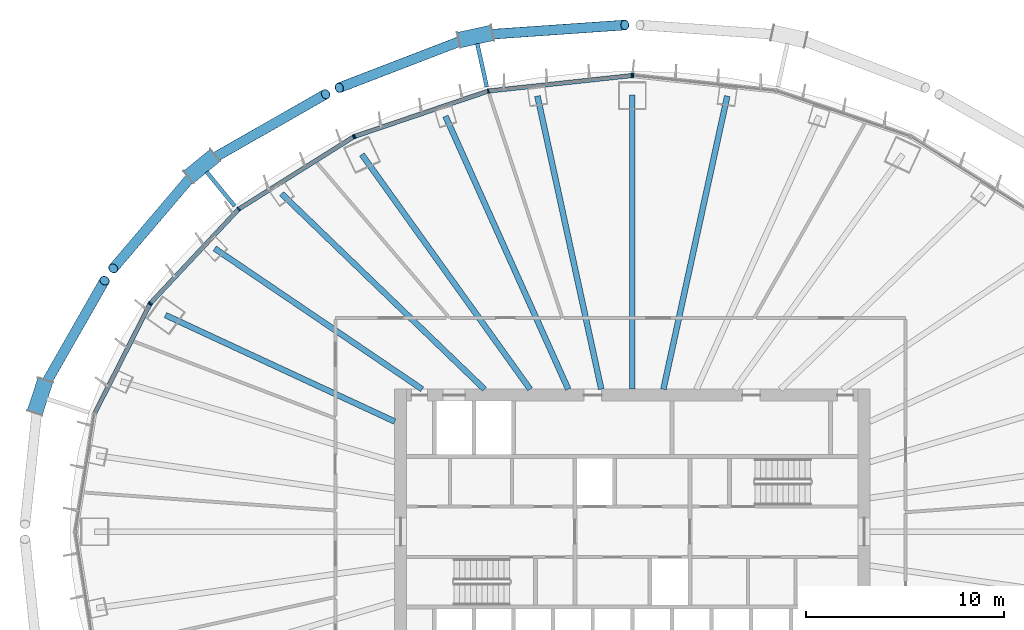
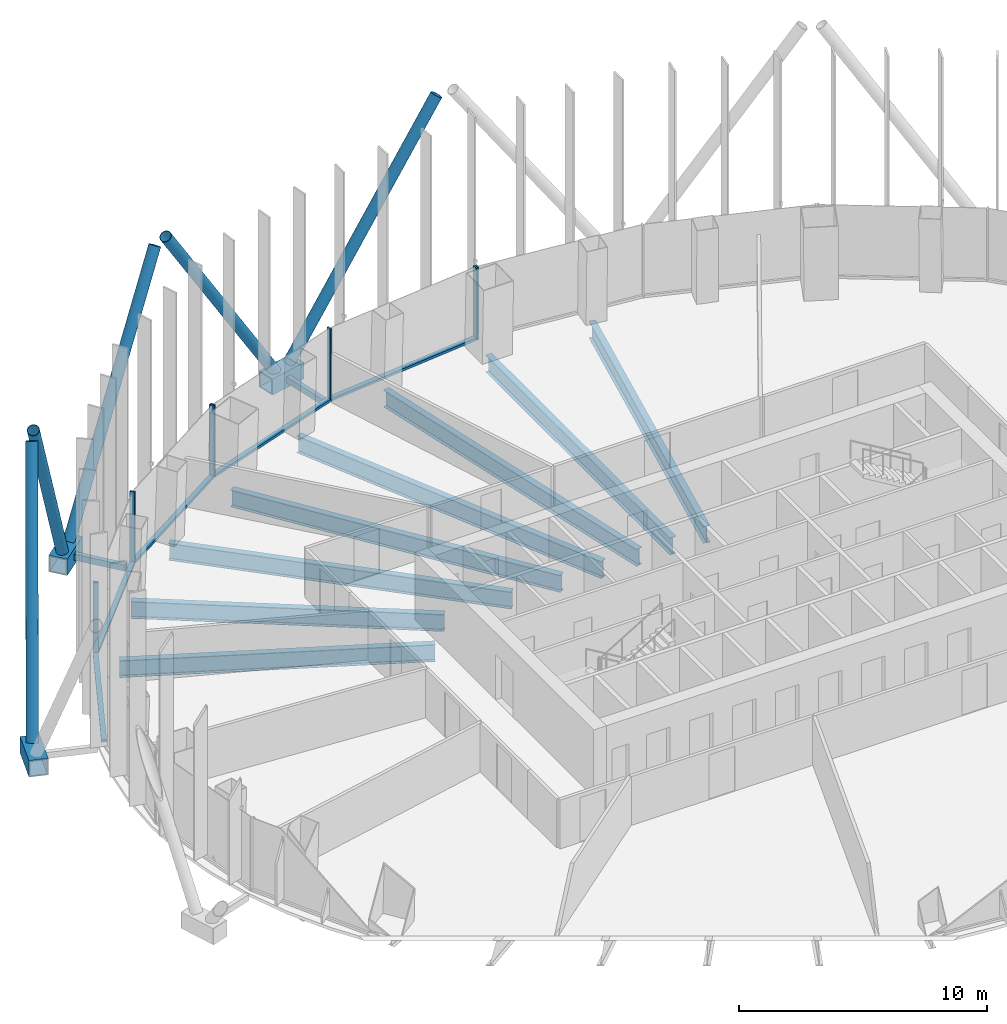
# One storey, part 5 of 22: 23 members, 8 beams, 4 elements without a shape of their own.
"""IFC4 building model written with IfcOpenShell, lengths in metres."""

from ifc_helpers import new_model, si_unit, direction, frame, origin, origin_2d, place, context, subcontext, project, spatial, rectangle, hollow_rectangle, hollow_circle, i_section, extrude, material, layer, layer_set, material_profile, profile_set, type_object, element, aggregate, save


model = new_model("IFC4")

# Units and contexts
model_context = context("Model", 3, precision=1e-05, world=origin(), true_north=direction((0.0, 1.0)))
body_context = subcontext(model_context, "Body", "Model", "MODEL_VIEW")
ifc_project = project(units=[si_unit("LENGTHUNIT", "METRE"), si_unit("AREAUNIT", "SQUARE_METRE"), si_unit("VOLUMEUNIT", "CUBIC_METRE"), si_unit("PLANEANGLEUNIT", "RADIAN"), si_unit("MASSUNIT", "GRAM", prefix="KILO")], contexts=[model_context])

# Site, building, storey
site_placement = place(None, origin())
site = spatial("IfcSite", under=ifc_project, at=site_placement, CompositionType="ELEMENT")
building_placement = place(site_placement, origin())
building = spatial("IfcBuilding", under=site, at=building_placement, Name="Siaravel Broadcast Tower", CompositionType="ELEMENT")
storey_placement = place(building_placement, frame((0.0, 0.0, 37.10009765625)))
storey = spatial("IfcBuildingStorey", under=building, at=storey_placement, Name="L07", CompositionType="ELEMENT", Elevation=37.10009765625)

# Beams
ifc_material_1 = material(Name="Steel S355", Category="steel")
ifc_material_profile_1 = material_profile(ifc_material_1, i_section(OverallWidth=0.291748046875, OverallDepth=0.8349609375, WebThickness=0.013916015625, FlangeThickness=0.018798828125, FilletRadius=0.017822265625, at=origin_2d()))
ifc_profile_set_1 = profile_set([ifc_material_profile_1], Name="Steel S355")
beam_type = type_object("IfcBeamType", Name="BM-UB 838x292x176", PredefinedType="BEAM", material=ifc_profile_set_1)
beam_1_placement = place(storey_placement, frame((4.79248046875, 22.003173828125, -0.5673828125), z_axis=(-0.212809631, -0.977093681, 0.0), x_axis=(0.977093681, -0.212809631, 0.0)))
element("IfcBeam", 1, at=beam_1_placement, inside=storey, type_object=beam_type, Name="Radial beam RB09", PredefinedType="BEAM", context=body_context, shape_type="SweptSolid", body=[
    extrude(i_section(OverallWidth=0.291748046875, OverallDepth=0.8349609375, WebThickness=0.013916015625, FlangeThickness=0.018798828125, FilletRadius=0.017822265625, at=origin_2d()), origin(), (0.0, 0.0, 1.0), 15.150146484375),
])
beam_2_placement = place(storey_placement, frame((0.0, 22.046630859375, -0.5673828125), z_axis=(0.0, -1.0, 0.0), x_axis=(1.0, 0.0, 0.0)))
element("IfcBeam", 2, at=beam_2_placement, inside=storey, type_object=beam_type, Name="Radial beam RB10", PredefinedType="BEAM", context=body_context, shape_type="SweptSolid", body=[
    extrude(i_section(OverallWidth=0.291748046875, OverallDepth=0.8349609375, WebThickness=0.013916015625, FlangeThickness=0.018798828125, FilletRadius=0.017822265625, at=origin_2d()), origin(), (0.0, 0.0, 1.0), 14.8466796875),
])
beam_3_placement = place(storey_placement, frame((-4.79248046875, 22.003173828125, -0.5673828125), z_axis=(0.212809631, -0.977093681, 0.0), x_axis=(0.977093681, 0.212809631, 0.0)))
element("IfcBeam", 3, at=beam_3_placement, inside=storey, type_object=beam_type, Name="Radial beam RB11", PredefinedType="BEAM", context=body_context, shape_type="SweptSolid", body=[
    extrude(i_section(OverallWidth=0.291748046875, OverallDepth=0.8349609375, WebThickness=0.013916015625, FlangeThickness=0.018798828125, FilletRadius=0.017822265625, at=origin_2d()), origin(), (0.0, 0.0, 1.0), 15.150146484375),
])
beam_4_placement = place(storey_placement, frame((-9.436279296875, 20.984130859375, -0.5673828125), z_axis=(0.410122863, -0.912030283, 0.0), x_axis=(0.912030283, 0.410122863, 0.0)))
element("IfcBeam", 4, at=beam_4_placement, inside=storey, type_object=beam_type, Name="Radial beam RB12", PredefinedType="BEAM", context=body_context, shape_type="SweptSolid", body=[
    extrude(i_section(OverallWidth=0.291748046875, OverallDepth=0.8349609375, WebThickness=0.013916015625, FlangeThickness=0.018798828125, FilletRadius=0.017822265625, at=origin_2d()), origin(), (0.0, 0.0, 1.0), 15.11376953125),
])
beam_5_placement = place(storey_placement, frame((-13.65869140625, 19.05126953125, -0.5673828125), z_axis=(0.582661067, -0.812715252, 0.0), x_axis=(0.812715252, 0.582661067, 0.0)))
element("IfcBeam", 5, at=beam_5_placement, inside=storey, type_object=beam_type, Name="Radial beam RB13", PredefinedType="BEAM", context=body_context, shape_type="SweptSolid", body=[
    extrude(i_section(OverallWidth=0.291748046875, OverallDepth=0.8349609375, WebThickness=0.013916015625, FlangeThickness=0.018798828125, FilletRadius=0.017822265625, at=origin_2d()), origin(), (0.0, 0.0, 1.0), 14.582275390625),
])
beam_6_placement = place(storey_placement, frame((-17.7109375, 17.072021484375, -0.5673828125), z_axis=(0.71997139, -0.694003745, 0.0), x_axis=(0.694003745, 0.71997139, 0.0)))
element("IfcBeam", 6, at=beam_6_placement, inside=storey, type_object=beam_type, Name="Radial beam RB14", PredefinedType="BEAM", context=body_context, shape_type="SweptSolid", body=[
    extrude(i_section(OverallWidth=0.291748046875, OverallDepth=0.8349609375, WebThickness=0.013916015625, FlangeThickness=0.018798828125, FilletRadius=0.017822265625, at=origin_2d()), origin(), (0.0, 0.0, 1.0), 14.224853515625),
])
beam_7_placement = place(storey_placement, frame((-21.088134765625, 14.305908203125, -0.5673828125), z_axis=(0.827542342, -0.561403306, 0.0), x_axis=(0.561403306, 0.827542342, 0.0)))
element("IfcBeam", 7, at=beam_7_placement, inside=storey, type_object=beam_type, Name="Radial beam RB15", PredefinedType="BEAM", context=body_context, shape_type="SweptSolid", body=[
    extrude(i_section(OverallWidth=0.291748046875, OverallDepth=0.8349609375, WebThickness=0.013916015625, FlangeThickness=0.018798828125, FilletRadius=0.017822265625, at=origin_2d()), origin(), (0.0, 0.0, 1.0), 12.657470703125),
])
beam_8_placement = place(storey_placement, frame((-23.5732421875, 10.939697265625, -0.5673828125), z_axis=(0.907082041, -0.420953882, 0.0), x_axis=(0.420953882, 0.907082041, 0.0)))
element("IfcBeam", 8, at=beam_8_placement, inside=storey, type_object=beam_type, Name="Radial beam RB16", PredefinedType="BEAM", context=body_context, shape_type="SweptSolid", body=[
    extrude(i_section(OverallWidth=0.291748046875, OverallDepth=0.8349609375, WebThickness=0.013916015625, FlangeThickness=0.018798828125, FilletRadius=0.017822265625, at=origin_2d()), origin(), (0.0, 0.0, 1.0), 12.7587890625),
])

# Curtain wall, member
ifc_material_2 = material(Name="Aluminium 6063-T6", Category="aluminium")
ifc_layer = layer(ifc_material_2, 0.219970703125)
ifc_layer_set = layer_set([ifc_layer], Name="Aluminium 6063-T6")
curtain_wall_type = type_object("IfcCurtainWallType", Name="Unitised curtain wall, zone 1", PredefinedType="NOTDEFINED", material=ifc_layer_set)
curtain_wall_1_placement = place(storey_placement, origin())
curtain_wall_1 = element("IfcCurtainWall", 9, at=curtain_wall_1_placement, inside=storey, type_object=curtain_wall_type, Name="L07 Unitised curtain wall, zone 1 03", PredefinedType="NOTDEFINED")
ifc_material_profile_2 = material_profile(ifc_material_2, rectangle(XDim=0.219970703125, YDim=0.070068359375, at=origin_2d()))
ifc_profile_set_2 = profile_set([ifc_material_profile_2], Name="Aluminium 6063-T6")
member_type_1 = type_object("IfcMemberType", Name="CW-Z1 mullion", PredefinedType="MULLION", material=ifc_profile_set_2)
member_1_placement = place(storey_placement, frame((0.034912109375, 23.035400390625, 0.0), z_axis=(0.0, 0.0, 1.0), x_axis=(-0.107217509, -0.994235589, 0.0)))
member_1 = element("IfcMember", 10, at=member_1_placement, type_object=member_type_1, Name="CW-Z1 mullion 3", PredefinedType="MULLION", context=body_context, shape_type="SweptSolid", body=[
    extrude(rectangle(XDim=0.219970703125, YDim=0.070068359375, at=origin_2d()), origin(), (0.0, 0.0, 1.0), 3.5498046875),
])
aggregate(curtain_wall_1, [member_1])

# Curtain wall, members
curtain_wall_2_placement = place(storey_placement, origin())
curtain_wall_2 = element("IfcCurtainWall", 11, at=curtain_wall_2_placement, inside=storey, type_object=curtain_wall_type, Name="L07 Unitised curtain wall, zone 1 04", PredefinedType="NOTDEFINED")
member_2_placement = place(storey_placement, frame((-0.034912109375, 23.035400390625, 0.0), z_axis=(0.0, 0.0, 1.0), x_axis=(0.107217509, -0.994235589, 0.0)))
member_2 = element("IfcMember", 12, at=member_2_placement, type_object=member_type_1, Name="CW-Z1 mullion 1", PredefinedType="MULLION", context=body_context, shape_type="SweptSolid", body=[
    extrude(rectangle(XDim=0.219970703125, YDim=0.070068359375, at=origin_2d()), origin(), (0.0, 0.0, 1.0), 3.5498046875),
])
member_3_placement = place(storey_placement, frame((-7.27490234375, 22.2548828125, 0.0), z_axis=(0.0, 0.0, 1.0), x_axis=(0.215558083, -0.97649102, 0.0)))
member_3 = element("IfcMember", 13, at=member_3_placement, type_object=member_type_1, Name="CW-Z1 mullion 2", PredefinedType="MULLION", context=body_context, shape_type="SweptSolid", body=[
    extrude(rectangle(XDim=0.219970703125, YDim=0.070068359375, at=origin_2d()), origin(), (0.0, 0.0, 1.0), 3.5498046875),
])
member_4_placement = place(storey_placement, frame((-14.021240234375, 19.9658203125, 0.0), z_axis=(0.0, 0.0, 1.0), x_axis=(0.321300632, -0.946977246, 0.0)))
member_4 = element("IfcMember", 14, at=member_4_placement, type_object=member_type_1, Name="CW-Z1 mullion 3", PredefinedType="MULLION", context=body_context, shape_type="SweptSolid", body=[
    extrude(rectangle(XDim=0.219970703125, YDim=0.070068359375, at=origin_2d()), origin(), (0.0, 0.0, 1.0), 3.5498046875),
])

curtain_wall_3_placement = place(storey_placement, origin())
curtain_wall_3 = element("IfcCurtainWall", 15, at=curtain_wall_3_placement, inside=storey, type_object=curtain_wall_type, Name="L07 Unitised curtain wall, zone 1 05", PredefinedType="NOTDEFINED")
member_5_placement = place(storey_placement, frame((-14.083984375, 19.935791015625, 0.0), z_axis=(0.0, 0.0, 1.0), x_axis=(0.532149101, -0.846650657, 0.0)))
member_5 = element("IfcMember", 16, at=member_5_placement, type_object=member_type_1, Name="CW-Z1 mullion 1", PredefinedType="MULLION", context=body_context, shape_type="SweptSolid", body=[
    extrude(rectangle(XDim=0.219970703125, YDim=0.070068359375, at=origin_2d()), origin(), (0.0, 0.0, 1.0), 3.5498046875),
])
member_6_placement = place(storey_placement, frame((-19.87744140625, 16.294677734375, 0.0), z_axis=(0.0, 0.0, 1.0), x_axis=(0.63621841, -0.771508998, 0.0)))
member_6 = element("IfcMember", 17, at=member_6_placement, type_object=member_type_1, Name="CW-Z1 mullion 2", PredefinedType="MULLION", context=body_context, shape_type="SweptSolid", body=[
    extrude(rectangle(XDim=0.219970703125, YDim=0.070068359375, at=origin_2d()), origin(), (0.0, 0.0, 1.0), 3.5498046875),
])
member_7_placement = place(storey_placement, frame((-24.322998046875, 11.549072265625, 0.0), z_axis=(0.0, 0.0, 1.0), x_axis=(0.729804946, -0.683655426, 0.0)))
member_7 = element("IfcMember", 18, at=member_7_placement, type_object=member_type_1, Name="CW-Z1 mullion 3", PredefinedType="MULLION", context=body_context, shape_type="SweptSolid", body=[
    extrude(rectangle(XDim=0.219970703125, YDim=0.070068359375, at=origin_2d()), origin(), (0.0, 0.0, 1.0), 3.5498046875),
])

# Curtain wall, member
curtain_wall_4_placement = place(storey_placement, origin())
curtain_wall_4 = element("IfcCurtainWall", 19, at=curtain_wall_4_placement, inside=storey, type_object=curtain_wall_type, Name="L07 Unitised curtain wall, zone 1 06", PredefinedType="NOTDEFINED")
member_8_placement = place(storey_placement, frame((-24.362548828125, 11.4921875, 0.0), z_axis=(0.0, 0.0, 1.0), x_axis=(0.892391814, -0.451261399, 0.0)))
member_8 = element("IfcMember", 20, at=member_8_placement, type_object=member_type_1, Name="CW-Z1 mullion 1", PredefinedType="MULLION", context=body_context, shape_type="SweptSolid", body=[
    extrude(rectangle(XDim=0.219970703125, YDim=0.070068359375, at=origin_2d()), origin(), (0.0, 0.0, 1.0), 3.5498046875),
])

# Member
ifc_material_profile_3 = material_profile(ifc_material_2, rectangle(XDim=0.219970703125, YDim=0.1201171875, at=origin_2d()))
ifc_profile_set_3 = profile_set([ifc_material_profile_3], Name="Aluminium 6063-T6")
member_type_2 = type_object("IfcMemberType", Name="CW-Z1 transom", PredefinedType="USERDEFINED", material=ifc_profile_set_3)
member_9_placement = place(storey_placement, frame((-0.069580078125, 23.03173828125, 0.059814453125), z_axis=(-0.994236438, -0.107209629, 0.0), x_axis=(0.107209629, -0.994236438, 0.0)))
member_9 = element("IfcMember", 21, at=member_9_placement, type_object=member_type_2, Name="CW-Z1 transom 1", ObjectType="TRANSOM", PredefinedType="USERDEFINED", context=body_context, shape_type="SweptSolid", body=[
    extrude(rectangle(XDim=0.219970703125, YDim=0.1201171875, at=origin_2d()), origin(), (0.0, 0.0, 1.0), 7.2119140625),
])

member_10_placement = place(storey_placement, frame((-7.307861328125, 22.24365234375, 0.059814453125), z_axis=(-0.946973811, -0.321310754, 0.0), x_axis=(0.321310754, -0.946973811, 0.0)))
member_10 = element("IfcMember", 22, at=member_10_placement, type_object=member_type_2, Name="CW-Z1 transom 2", ObjectType="TRANSOM", PredefinedType="USERDEFINED", context=body_context, shape_type="SweptSolid", body=[
    extrude(rectangle(XDim=0.219970703125, YDim=0.1201171875, at=origin_2d()), origin(), (0.0, 0.0, 1.0), 7.05419921875),
])

aggregate(curtain_wall_2, [member_2, member_3, member_4, member_9, member_10])

member_11_placement = place(storey_placement, frame((-14.11376953125, 19.917236328125, 0.059814453125), z_axis=(-0.846656967, -0.532139062, 0.0), x_axis=(0.532139062, -0.846656967, 0.0)))
member_11 = element("IfcMember", 23, at=member_11_placement, type_object=member_type_2, Name="CW-Z1 transom 1", ObjectType="TRANSOM", PredefinedType="USERDEFINED", context=body_context, shape_type="SweptSolid", body=[
    extrude(rectangle(XDim=0.219970703125, YDim=0.1201171875, at=origin_2d()), origin(), (0.0, 0.0, 1.0), 6.772705078125),
])

member_12_placement = place(storey_placement, frame((-19.9013671875, 16.26904296875, 0.059814453125), z_axis=(-0.683654492, -0.72980582, 0.0), x_axis=(0.72980582, -0.683654492, 0.0)))
member_12 = element("IfcMember", 24, at=member_12_placement, type_object=member_type_2, Name="CW-Z1 transom 2", ObjectType="TRANSOM", PredefinedType="USERDEFINED", context=body_context, shape_type="SweptSolid", body=[
    extrude(rectangle(XDim=0.219970703125, YDim=0.1201171875, at=origin_2d()), origin(), (0.0, 0.0, 1.0), 6.4326171875),
])

aggregate(curtain_wall_3, [member_5, member_6, member_7, member_11, member_12])

member_13_placement = place(storey_placement, frame((-24.37841796875, 11.4609375, 0.059814453125), z_axis=(-0.451275958, -0.892384452, 0.0), x_axis=(0.892384452, -0.451275958, 0.0)))
member_13 = element("IfcMember", 25, at=member_13_placement, type_object=member_type_2, Name="CW-Z1 transom 1", ObjectType="TRANSOM", PredefinedType="USERDEFINED", context=body_context, shape_type="SweptSolid", body=[
    extrude(rectangle(XDim=0.219970703125, YDim=0.1201171875, at=origin_2d()), origin(), (0.0, 0.0, 1.0), 6.123046875),
])

aggregate(curtain_wall_4, [member_8, member_13])

# Members
ifc_material_3 = material(Name="Steel S460", Category="steel")
ifc_material_profile_4 = material_profile(ifc_material_3, hollow_circle(Radius=0.25390625, WallThickness=0.02001953125, at=origin_2d()))
ifc_profile_set_4 = profile_set([ifc_material_profile_4], Name="Steel S460")
member_type_3 = type_object("IfcMemberType", Name="Diagrid diagonal CHS 508x20", PredefinedType="BRACE", material=ifc_profile_set_4)
member_14_placement = place(storey_placement, frame((-7.5380859375, 25.09375, 0.169921875), z_axis=(0.566194211, 0.039198358, 0.823339301), x_axis=(-0.069065976, 0.997612094, 0.0)))
element("IfcMember", 26, at=member_14_placement, inside=storey, type_object=member_type_3, Name="Diagrid diagonal R04 station 21C", PredefinedType="BRACE", context=body_context, shape_type="SweptSolid", body=[
    extrude(hollow_circle(Radius=0.25390625, WallThickness=0.02001953125, at=origin_2d()), origin(), (0.0, 0.0, 1.0), 12.6435546875),
])
member_15_placement = place(storey_placement, frame((-8.279296875, 24.93115234375, 0.169921875), z_axis=(-0.520194937, -0.200133392, 0.830267338), x_axis=(0.359070379, -0.933310486, 0.0)))
element("IfcMember", 27, at=member_15_placement, inside=storey, type_object=member_type_3, Name="Diagrid diagonal R04 station 21A", PredefinedType="BRACE", context=body_context, shape_type="SweptSolid", body=[
    extrude(hollow_circle(Radius=0.25390625, WallThickness=0.02001953125, at=origin_2d()), origin(), (0.0, 0.0, 1.0), 12.5380859375),
])
member_16_placement = place(storey_placement, frame((-21.4384765625, 18.703125, 0.169921875), z_axis=(0.477526586, 0.272371369, 0.835333584), x_axis=(-0.495451824, 0.868635418, 0.0)))
element("IfcMember", 28, at=member_16_placement, inside=storey, type_object=member_type_3, Name="Diagrid diagonal R04 station 27C", PredefinedType="BRACE", context=body_context, shape_type="SweptSolid", body=[
    extrude(hollow_circle(Radius=0.25390625, WallThickness=0.02001953125, at=origin_2d()), origin(), (0.0, 0.0, 1.0), 12.4619140625),
])
member_17_placement = place(storey_placement, frame((-22.025390625, 18.222412109375, 0.169921875), z_axis=(-0.341753532, -0.401555418, 0.849680981), x_axis=(0.761535421, -0.648123293, 0.0)))
element("IfcMember", 29, at=member_17_placement, inside=storey, type_object=member_type_3, Name="Diagrid diagonal R04 station 27A", PredefinedType="BRACE", context=body_context, shape_type="SweptSolid", body=[
    extrude(hollow_circle(Radius=0.25390625, WallThickness=0.02001953125, at=origin_2d()), origin(), (0.0, 0.0, 1.0), 12.25146484375),
])
member_18_placement = place(storey_placement, frame((-29.788818359375, 7.190673828125, 0.169921875), z_axis=(0.257704977, 0.450853435, 0.854587225), x_axis=(-0.868181384, 0.496246999, 0.0)))
element("IfcMember", 30, at=member_18_placement, inside=storey, type_object=member_type_3, Name="Diagrid diagonal R04 station 33C", PredefinedType="BRACE", context=body_context, shape_type="SweptSolid", body=[
    extrude(hollow_circle(Radius=0.25390625, WallThickness=0.02001953125, at=origin_2d()), origin(), (0.0, 0.0, 1.0), 12.18115234375),
])
ifc_material_profile_5 = material_profile(ifc_material_3, hollow_rectangle(XDim=0.800048828125, YDim=0.800048828125, WallThickness=0.050048828125, at=origin_2d()))
ifc_profile_set_5 = profile_set([ifc_material_profile_5], Name="Steel S460")
member_type_4 = type_object("IfcMemberType", Name="Diagrid node BOX 800x800x50", PredefinedType="USERDEFINED", material=ifc_profile_set_5)
member_19_placement = place(storey_placement, frame((-7.068359375, 25.197021484375, -0.2001953125), z_axis=(-0.976724775, -0.214496421, 0.0), x_axis=(0.214496421, -0.976724775, 0.0)))
element("IfcMember", 31, at=member_19_placement, inside=storey, type_object=member_type_4, Name="Diagrid node R04 station 21", ObjectType="DIAGRID NODE", PredefinedType="USERDEFINED", context=body_context, shape_type="SweptSolid", body=[
    extrude(hollow_rectangle(XDim=0.800048828125, YDim=0.800048828125, WallThickness=0.050048828125, at=origin_2d()), origin(), (0.0, 0.0, 1.0), 1.720947265625),
])
member_20_placement = place(storey_placement, frame((-21.066162109375, 19.008056640625, -0.2001953125), z_axis=(-0.773634883, -0.63363165, 0.0), x_axis=(0.63363165, -0.773634883, 0.0)))
element("IfcMember", 32, at=member_20_placement, inside=storey, type_object=member_type_4, Name="Diagrid node R04 station 27", ObjectType="DIAGRID NODE", PredefinedType="USERDEFINED", context=body_context, shape_type="SweptSolid", body=[
    extrude(hollow_rectangle(XDim=0.800048828125, YDim=0.800048828125, WallThickness=0.050048828125, at=origin_2d()), origin(), (0.0, 0.0, 1.0), 1.72119140625),
])
member_21_placement = place(storey_placement, frame((-29.639404296875, 7.64794921875, -0.2001953125), z_axis=(-0.310817725, -0.950469538, 0.0), x_axis=(0.950469538, -0.310817725, 0.0)))
element("IfcMember", 33, at=member_21_placement, inside=storey, type_object=member_type_4, Name="Diagrid node R04 station 33", ObjectType="DIAGRID NODE", PredefinedType="USERDEFINED", context=body_context, shape_type="SweptSolid", body=[
    extrude(hollow_rectangle(XDim=0.800048828125, YDim=0.800048828125, WallThickness=0.050048828125, at=origin_2d()), origin(), (0.0, 0.0, 1.0), 1.720947265625),
])
ifc_material_profile_6 = material_profile(ifc_material_3, hollow_rectangle(XDim=0.199951171875, YDim=0.300048828125, WallThickness=0.012451171875, at=origin_2d()))
ifc_profile_set_6 = profile_set([ifc_material_profile_6], Name="Steel S460")
member_type_5 = type_object("IfcMemberType", Name="Diagrid node arm RHS 300x200x12.5", PredefinedType="STRUT", material=ifc_profile_set_6)
member_22_placement = place(storey_placement, frame((-7.351318359375, 22.472900390625, -0.2001953125), z_axis=(-0.214460789, 0.976732599, 0.0), x_axis=(-0.976732599, -0.214460789, 0.0)))
element("IfcMember", 34, at=member_22_placement, inside=storey, type_object=member_type_5, Name="Node arm R04 station 21", PredefinedType="STRUT", context=body_context, shape_type="SweptSolid", body=[
    extrude(hollow_rectangle(XDim=0.199951171875, YDim=0.300048828125, WallThickness=0.012451171875, at=origin_2d()), origin(), (0.0, 0.0, 1.0), 2.230224609375),
])
member_23_placement = place(storey_placement, frame((-20.08447265625, 16.451416015625, -0.2001953125), z_axis=(-0.633613339, 0.77364988, 0.0), x_axis=(-0.77364988, -0.633613339, 0.0)))
element("IfcMember", 35, at=member_23_placement, inside=storey, type_object=member_type_5, Name="Node arm R04 station 27", PredefinedType="STRUT", context=body_context, shape_type="SweptSolid", body=[
    extrude(hollow_rectangle(XDim=0.199951171875, YDim=0.300048828125, WallThickness=0.012451171875, at=origin_2d()), origin(), (0.0, 0.0, 1.0), 2.229736328125),
])

save(model, "model.ifc")
